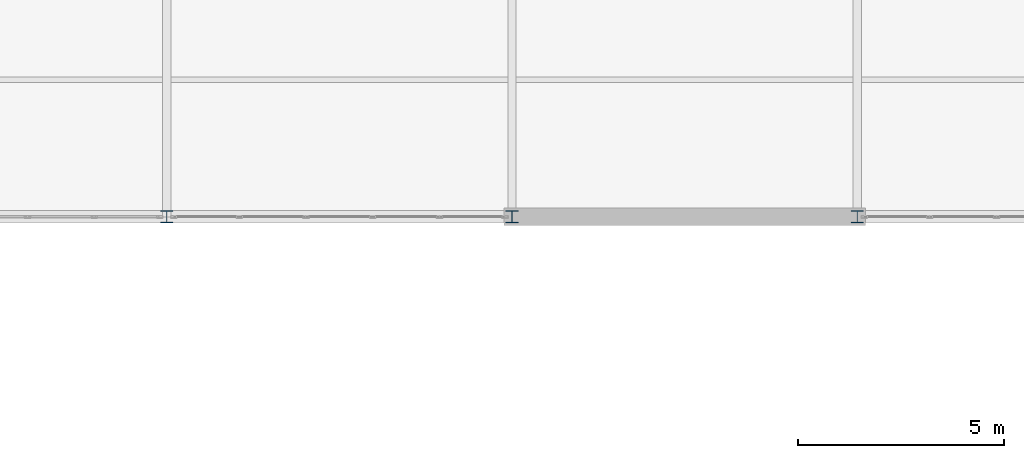
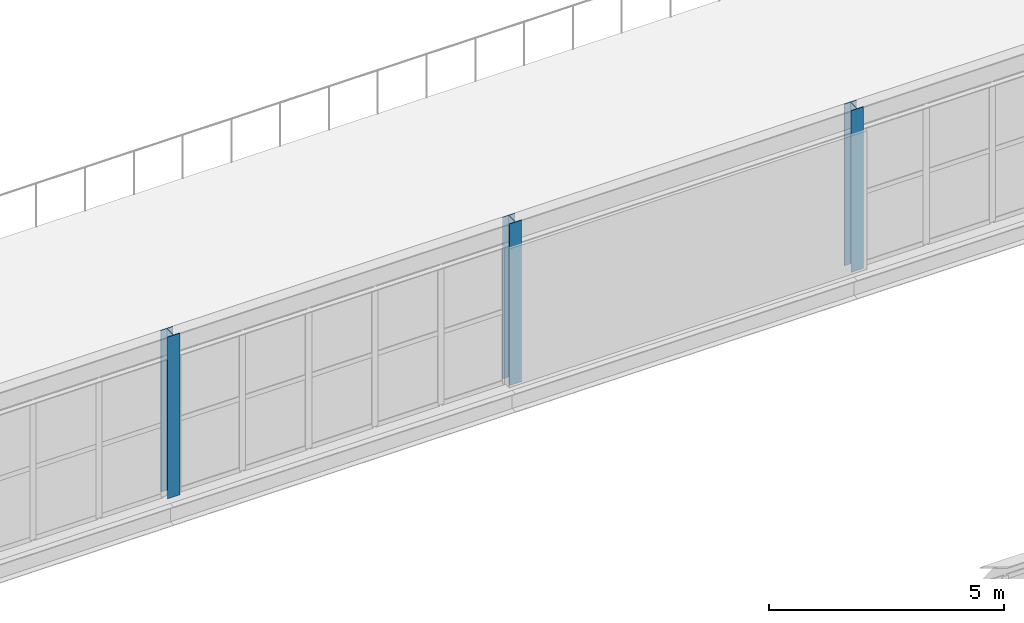
# One storey, part 14 of 218: 3 columns.
"""IFC4 building model written with IfcOpenShell, lengths in metres."""

from ifc_helpers import new_model, si_unit, direction, frame, origin, origin_2d, place, context, subcontext, project, spatial, i_section, extrude, material, material_profile, profile_set, type_object, element, save


model = new_model("IFC4")

# Units and contexts
model_context = context("Model", 3, precision=1e-05, world=origin(), true_north=direction((0.0, 1.0)))
body_context = subcontext(model_context, "Body", "Model", "MODEL_VIEW")
ifc_project = project(units=[si_unit("LENGTHUNIT", "METRE"), si_unit("AREAUNIT", "SQUARE_METRE"), si_unit("VOLUMEUNIT", "CUBIC_METRE"), si_unit("PLANEANGLEUNIT", "RADIAN"), si_unit("MASSUNIT", "GRAM", prefix="KILO")], contexts=[model_context])

# Site, building, storey
site_placement = place(None, origin())
site = spatial("IfcSite", under=ifc_project, at=site_placement, CompositionType="ELEMENT")
building_placement = place(site_placement, origin())
building = spatial("IfcBuilding", under=site, at=building_placement, Name="Kazenagashi Tramway Depot", CompositionType="ELEMENT")
storey_placement = place(building_placement, frame((0.0, 0.0, 6.0)))
storey = spatial("IfcBuildingStorey", under=building, at=storey_placement, Name="L02", CompositionType="ELEMENT", Elevation=6.0)

# Columns
ifc_material = material(Name="Steel SN490B", Category="steel")
ifc_material_profile = material_profile(ifc_material, i_section(OverallWidth=0.3, OverallDepth=0.3, WebThickness=0.01, FlangeThickness=0.015, at=origin_2d()), Name="H-300x300x10x15")
ifc_profile_set = profile_set([ifc_material_profile], Name="Steel SN490B")
column_type = type_object("IfcColumnType", Name="C-05", PredefinedType="COLUMN", material=ifc_profile_set)
for number, where, z_axis, x_axis, name in (
    (1, (103.6, 70.0, 0.0), (0.0, 0.0, 1.0), (1.0, 0.0, 0.0), "Column C-05 COL-0044"),
    (2, (112.0, 70.0, 0.0), (0.0, 0.0, 1.0), (1.0, 0.0, 0.0), "Column C-05 COL-0050"),
    (3, (120.4, 70.0, 0.0), (0.0, 0.0, 1.0), (1.0, 0.0, 0.0), "Column C-05 COL-0056"),
):
    element("IfcColumn", number, at=place(storey_placement, frame(where, z_axis=z_axis, x_axis=x_axis)), inside=storey, type_object=column_type, Name=name, PredefinedType="COLUMN", context=body_context, shape_type="SweptSolid", body=[
        extrude(i_section(OverallWidth=0.3, OverallDepth=0.3, WebThickness=0.01, FlangeThickness=0.015, at=origin_2d()), origin(), (0.0, 0.0, 1.0), 4.2),
    ])

save(model, "model.ifc")
